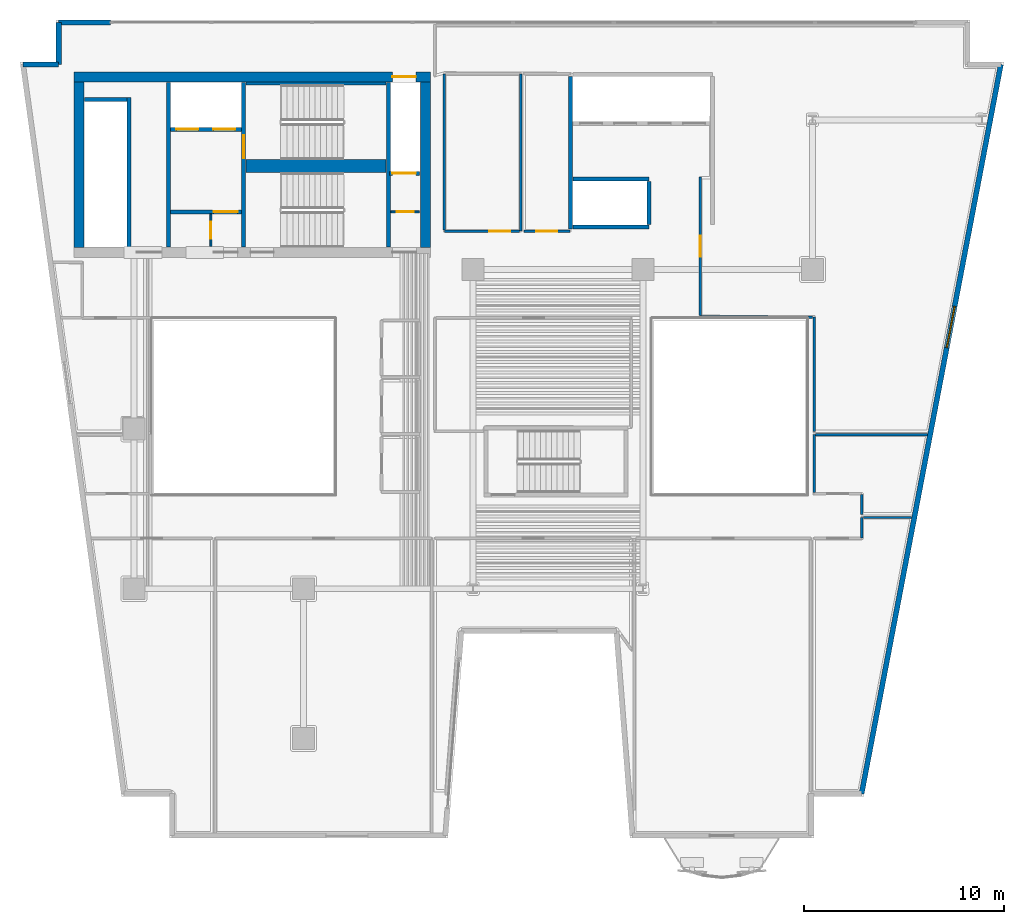
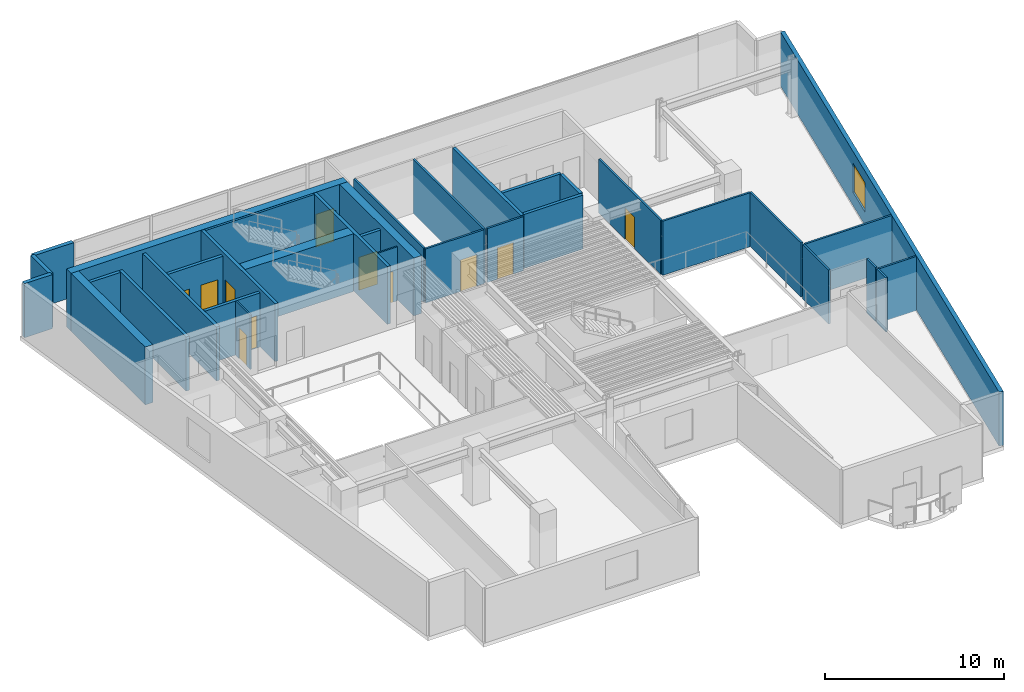
# One storey, part 7 of 13: 35 walls, 11 doors, 1 window, 12 openings.
"""IFC4 building model written with IfcOpenShell, lengths in metres."""

from ifc_helpers import new_model, si_unit, direction, frame, frame_2d, origin, place, context, subcontext, project, spatial, rectangle, extrude, material, layer, layer_set, type_object, element, fill, save


model = new_model("IFC4")

# Units and contexts
model_context = context("Model", 3, precision=1e-05, world=origin(), true_north=direction((0.0, 1.0)))
body_context = subcontext(model_context, "Body", "Model", "MODEL_VIEW")
ifc_project = project(units=[si_unit("LENGTHUNIT", "METRE"), si_unit("AREAUNIT", "SQUARE_METRE"), si_unit("VOLUMEUNIT", "CUBIC_METRE"), si_unit("PLANEANGLEUNIT", "RADIAN"), si_unit("MASSUNIT", "GRAM", prefix="KILO")], contexts=[model_context])

# Site, building, storey
site_placement = place(None, origin())
site = spatial("IfcSite", under=ifc_project, at=site_placement, CompositionType="ELEMENT")
building_placement = place(site_placement, origin())
building = spatial("IfcBuilding", under=site, at=building_placement, Name="Caeloran Harvest Quay", CompositionType="ELEMENT")
storey_placement = place(building_placement, frame((0.0, 0.0, 123.25)))
storey = spatial("IfcBuildingStorey", under=building, at=storey_placement, Name="L28", CompositionType="ELEMENT", Elevation=123.25)

# Walls
ifc_material_1 = material(Name="Precast concrete C50/60", Category="concrete")
ifc_layer_1 = layer(ifc_material_1, 0.260009765625, Name="Precast concrete C50/60")
ifc_layer_set_1 = layer_set([ifc_layer_1], Name="Precast concrete C50/60")
wall_type_1 = type_object("IfcWallType", Name="ENV-WALL-EW-260", PredefinedType="STANDARD", material=ifc_layer_set_1)
wall_1_placement = place(storey_placement, frame((2.939697265625, 41.27001953125, 0.0), z_axis=(0.0, 0.0, 1.0), x_axis=(1.0, 0.0, 0.0)))
element("IfcWall", 1, at=wall_1_placement, inside=storey, type_object=wall_type_1, Name="L28 Exterior Precast Concrete Facade Wall 4", PredefinedType="STANDARD", context=body_context, shape_type="SweptSolid", body=[
    extrude(rectangle(XDim=1.790283203125, YDim=0.260009765625, at=frame_2d((0.89501953125, 0.0))), origin(), (0.0, 0.0, 1.0), 3.68994140625),
])
wall_2_placement = place(storey_placement, frame((4.72998046875, 41.27001953125, 0.0), z_axis=(0.0, 0.0, 1.0), x_axis=(0.0, 1.0, 0.0)))
element("IfcWall", 2, at=wall_2_placement, inside=storey, type_object=wall_type_1, Name="L28 Exterior Precast Concrete Facade Wall 5", PredefinedType="STANDARD", context=body_context, shape_type="SweptSolid", body=[
    extrude(rectangle(XDim=2.10009765625, YDim=0.260009765625, at=frame_2d((1.050048828125, 0.0))), origin(), (0.0, 0.0, 1.0), 3.68994140625),
])
wall_3_placement = place(storey_placement, frame((4.72998046875, 43.3701171875, 0.0), z_axis=(0.0, 0.0, 1.0), x_axis=(1.0, 0.0, 0.0)))
element("IfcWall", 3, at=wall_3_placement, inside=storey, type_object=wall_type_1, Name="L28 Exterior Facade Corner Pier Wall 6A", PredefinedType="STANDARD", context=body_context, shape_type="SweptSolid", body=[
    extrude(rectangle(XDim=2.60009765625, YDim=0.260009765625, at=frame_2d((1.300048828125, 0.0))), origin(), (0.0, 0.0, 1.0), 3.68994140625),
])

# Wall, opening, window
wall_4_placement = place(storey_placement, frame((51.94189453125, 41.27001953125, 0.0), z_axis=(0.0, 0.0, 1.0), x_axis=(-0.187592192405, -0.982247000173, 0.0)))
wall_4 = element("IfcWall", 4, at=wall_4_placement, inside=storey, type_object=wall_type_1, Name="L28 Exterior Precast Concrete Facade Wall 9", PredefinedType="STANDARD", context=body_context, shape_type="SweptSolid", body=[
    extrude(rectangle(XDim=37.200439453125, YDim=0.260009765625, at=frame_2d((18.60009765625, 0.0))), origin(), (0.0, 0.0, 1.0), 3.68994140625),
])
opening_1_placement = place(wall_4_placement, frame((12.342041015625, 0.0, 0.89990234375)))
opening_1 = element("IfcOpeningElement", 5, at=opening_1_placement, cuts=wall_4, Name="Opening W-06", PredefinedType="OPENING", context=body_context, shape_type="SweptSolid", body=[
    extrude(rectangle(XDim=2.10009765625, YDim=2.0, at=frame_2d((1.050048828125, 1.0))), frame((0.0, 0.14013671875, 0.0), z_axis=(0.0, -1.0, 0.0), x_axis=(1.0, 0.0, 0.0)), (0.0, 0.0, 1.0), 0.280029296875),
])
ifc_material_2 = material(Name="Aluminium-Framed Low-E Laminated Glass", Category="aluminium")
window_type = type_object("IfcWindowType", Name="WIN-W-06", PartitioningType="DOUBLE_PANEL_VERTICAL", PredefinedType="WINDOW", material=ifc_material_2)
window_placement = place(opening_1_placement, origin())
window = element("IfcWindow", 6, at=window_placement, inside=storey, type_object=window_type, Name="L28 Facade Punched Window W-06", OverallHeight=2.0, OverallWidth=2.10009765625, PartitioningType="DOUBLE_PANEL_VERTICAL", PredefinedType="WINDOW", context=body_context, shape_type="SweptSolid", body=[
    extrude(rectangle(XDim=2.10009765625, YDim=2.0, at=frame_2d((1.050048828125, 1.0))), frame((0.0, 0.030029296875, 0.0), z_axis=(0.0, -1.0, 0.0), x_axis=(1.0, 0.0, 0.0)), (0.0, 0.0, 1.0), 0.06005859375),
])
fill(opening_1, window)

# Wall, opening, door
ifc_material_3 = material(Name="Fire-Resisting Gypsum Core Riser Partition", Category="gypsum")
ifc_layer_2 = layer(ifc_material_3, 0.10009765625, Name="Fire-Resisting Gypsum Core Riser Partition")
ifc_layer_set_2 = layer_set([ifc_layer_2], Name="Fire-Resisting Gypsum Core Riser Partition")
wall_type_2 = type_object("IfcWallType", Name="INT-WALL-PW-100", PredefinedType="PARTITIONING", material=ifc_layer_set_2)
wall_5_placement = place(storey_placement, frame((12.360107421875, 32.159912109375, 0.0), z_axis=(0.0, 0.0, 1.0), x_axis=(0.0, 1.0, 0.0)))
wall_5 = element("IfcWall", 7, at=wall_5_placement, inside=storey, type_object=wall_type_2, Name="L28 Core Store Partition Wall", PredefinedType="PARTITIONING", context=body_context, shape_type="SweptSolid", body=[
    extrude(rectangle(XDim=1.6201171875, YDim=0.10009765625, at=frame_2d((0.81005859375, 0.0))), origin(), (0.0, 0.0, 1.0), 3.68994140625),
])
opening_2_placement = place(wall_5_placement, frame((0.3798828125, 0.0, 0.0)))
opening_2 = element("IfcOpeningElement", 8, at=opening_2_placement, cuts=wall_5, Name="Opening SV-01", PredefinedType="OPENING", context=body_context, shape_type="SweptSolid", body=[
    extrude(rectangle(XDim=0.85009765625, YDim=2.10009765625, at=frame_2d((0.425048828125, 1.050048828125))), frame((0.0, 0.06005859375, 0.0), z_axis=(0.0, -1.0, 0.0), x_axis=(1.0, 0.0, 0.0)), (0.0, 0.0, 1.0), 0.1201171875),
])
ifc_material_4 = material(Name="Galvanized Painted Steel", Category="steel")
door_type_1 = type_object("IfcDoorType", Name="INTDOOR-SV-01", OperationType="NOTDEFINED", PredefinedType="DOOR", material=ifc_material_4)
door_1_placement = place(opening_2_placement, origin())
door_1 = element("IfcDoor", 9, at=door_1_placement, inside=storey, type_object=door_type_1, Name="L28 Core Service Room Access Door", OperationType="SINGLE_SWING_LEFT", OverallHeight=2.10009765625, OverallWidth=0.85009765625, PredefinedType="DOOR", context=body_context, shape_type="SweptSolid", body=[
    extrude(rectangle(XDim=0.85009765625, YDim=2.10009765625, at=frame_2d((0.425048828125, 1.050048828125))), frame((0.0, 0.02490234375, 0.0), z_axis=(0.0, -1.0, 0.0), x_axis=(1.0, 0.0, 0.0)), (0.0, 0.0, 1.0), 0.050048828125),
])
fill(opening_2, door_1)

wall_6_placement = place(storey_placement, frame((21.3798828125, 33.889892578125, 0.0), z_axis=(0.0, 0.0, 1.0), x_axis=(1.0, 0.0, 0.0)))
wall_6 = element("IfcWall", 10, at=wall_6_placement, inside=storey, type_object=wall_type_2, Name="L28 Cleaner Store Partition Wall", PredefinedType="PARTITIONING", context=body_context, shape_type="SweptSolid", body=[
    extrude(rectangle(XDim=1.420166015625, YDim=0.10009765625, at=frame_2d((0.7099609375, 0.0))), origin(), (0.0, 0.0, 1.0), 3.68994140625),
])
opening_3_placement = place(wall_6_placement, frame((0.280029296875, 0.0, 0.0)))
opening_3 = element("IfcOpeningElement", 11, at=opening_3_placement, cuts=wall_6, Name="Opening SV-01", PredefinedType="OPENING", context=body_context, shape_type="SweptSolid", body=[
    extrude(rectangle(XDim=0.85009765625, YDim=2.10009765625, at=frame_2d((0.425048828125, 1.050048828125))), frame((0.0, 0.06005859375, 0.0), z_axis=(0.0, -1.0, 0.0), x_axis=(1.0, 0.0, 0.0)), (0.0, 0.0, 1.0), 0.1201171875),
])
door_2_placement = place(opening_3_placement, origin())
door_2 = element("IfcDoor", 12, at=door_2_placement, inside=storey, type_object=door_type_1, Name="L28 Cleaner Supply Store Access Door", OperationType="SINGLE_SWING_RIGHT", OverallHeight=2.10009765625, OverallWidth=0.85009765625, PredefinedType="DOOR", context=body_context, shape_type="SweptSolid", body=[
    extrude(rectangle(XDim=0.85009765625, YDim=2.10009765625, at=frame_2d((0.425048828125, 1.050048828125))), frame((0.0, 0.02490234375, 0.0), z_axis=(0.0, -1.0, 0.0), x_axis=(1.0, 0.0, 0.0)), (0.0, 0.0, 1.0), 0.050048828125),
])
fill(opening_3, door_2)

# Wall
ifc_material_5 = material(Name="Twin-Stud Mineral-Wool Acoustic Gypsum Partition", Category="gypsum")
ifc_layer_3 = layer(ifc_material_5, 0.125, Name="Twin-Stud Mineral-Wool Acoustic Gypsum Partition")
ifc_layer_set_3 = layer_set([ifc_layer_3], Name="Twin-Stud Mineral-Wool Acoustic Gypsum Partition")
wall_type_3 = type_object("IfcWallType", Name="INT-WALL-PW-125", PredefinedType="PARTITIONING", material=ifc_layer_set_3)
wall_7_placement = place(storey_placement, frame((27.8798828125, 40.800048828125, 0.0), z_axis=(0.0, 0.0, 1.0), x_axis=(0.0, -1.0, 0.0)))
element("IfcWall", 13, at=wall_7_placement, inside=storey, type_object=wall_type_3, Name="L28 Crop Phenotyping West Laboratory Partition Wall", PredefinedType="PARTITIONING", context=body_context, shape_type="SweptSolid", body=[
    extrude(rectangle(XDim=7.880126953125, YDim=0.125, at=frame_2d((3.93994140625, 0.0))), origin(), (0.0, 0.0, 1.0), 3.68994140625),
])

# Wall, opening, door
wall_8_placement = place(storey_placement, frame((27.8125, 32.919921875, 0.0), z_axis=(0.0, 0.0, 1.0), x_axis=(-1.0, 0.0, 0.0)))
wall_8 = element("IfcWall", 14, at=wall_8_placement, inside=storey, type_object=wall_type_3, Name="L28 Crop Phenotyping West Laboratory Partition Wall", PredefinedType="PARTITIONING", context=body_context, shape_type="SweptSolid", body=[
    extrude(rectangle(XDim=3.762451171875, YDim=0.125, at=frame_2d((1.88134765625, 0.0))), origin(), (0.0, 0.0, 1.0), 3.68994140625),
])
opening_4_placement = place(wall_8_placement, frame((0.466064453125, 0.0, 0.0)))
opening_4 = element("IfcOpeningElement", 15, at=opening_4_placement, cuts=wall_8, Name="Opening ID-03", PredefinedType="OPENING", context=body_context, shape_type="SweptSolid", body=[
    extrude(rectangle(XDim=1.050048828125, YDim=2.14990234375, at=frame_2d((0.52490234375, 1.074951171875))), frame((0.0, 0.072509765625, 0.0), z_axis=(0.0, -1.0, 0.0), x_axis=(1.0, 0.0, 0.0)), (0.0, 0.0, 1.0), 0.14501953125),
])
ifc_material_6 = material(Name="FSC Solid-Core Oak Timber Leaf", Category="wood")
door_type_2 = type_object("IfcDoorType", Name="INTDOOR-ID-03", OperationType="NOTDEFINED", PredefinedType="DOOR", material=ifc_material_6)
door_3_placement = place(opening_4_placement, origin())
door_3 = element("IfcDoor", 16, at=door_3_placement, inside=storey, type_object=door_type_2, Name="L28 Crop Phenotyping West Laboratory Access Door", OperationType="SINGLE_SWING_RIGHT", OverallHeight=2.14990234375, OverallWidth=1.050048828125, PredefinedType="DOOR", context=body_context, shape_type="SweptSolid", body=[
    extrude(rectangle(XDim=1.050048828125, YDim=2.14990234375, at=frame_2d((0.52490234375, 1.074951171875))), frame((0.0, 0.02490234375, 0.0), z_axis=(0.0, -1.0, 0.0), x_axis=(1.0, 0.0, 0.0)), (0.0, 0.0, 1.0), 0.050048828125),
])
fill(opening_4, door_3)

# Wall
wall_9_placement = place(storey_placement, frame((24.050048828125, 32.987548828125, 0.0), z_axis=(0.0, 0.0, 1.0), x_axis=(0.0, 1.0, 0.0)))
element("IfcWall", 17, at=wall_9_placement, inside=storey, type_object=wall_type_3, Name="L28 Crop Phenotyping West Laboratory Partition Wall", PredefinedType="PARTITIONING", context=body_context, shape_type="SweptSolid", body=[
    extrude(rectangle(XDim=7.8125, YDim=0.125, at=frame_2d((3.90625, 0.0))), origin(), (0.0, 0.0, 1.0), 3.68994140625),
])

# Wall, opening, door
wall_10_placement = place(storey_placement, frame((30.35009765625, 32.919921875, 0.0), z_axis=(0.0, 0.0, 1.0), x_axis=(-1.0, 0.0, 0.0)))
wall_10 = element("IfcWall", 18, at=wall_10_placement, inside=storey, type_object=wall_type_3, Name="L28 Genomics Sequencing East Studio Partition Wall", PredefinedType="PARTITIONING", context=body_context, shape_type="SweptSolid", body=[
    extrude(rectangle(XDim=2.31005859375, YDim=0.125, at=frame_2d((1.155029296875, 0.0))), origin(), (0.0, 0.0, 1.0), 3.68994140625),
])
opening_5_placement = place(wall_10_placement, frame((0.6298828125, 0.0, 0.0)))
opening_5 = element("IfcOpeningElement", 19, at=opening_5_placement, cuts=wall_10, Name="Opening ID-03", PredefinedType="OPENING", context=body_context, shape_type="SweptSolid", body=[
    extrude(rectangle(XDim=1.050048828125, YDim=2.14990234375, at=frame_2d((0.52490234375, 1.074951171875))), frame((0.0, 0.072509765625, 0.0), z_axis=(0.0, -1.0, 0.0), x_axis=(1.0, 0.0, 0.0)), (0.0, 0.0, 1.0), 0.14501953125),
])
door_4_placement = place(opening_5_placement, origin())
door_4 = element("IfcDoor", 20, at=door_4_placement, inside=storey, type_object=door_type_2, Name="L28 Genomics Sequencing East Studio Access Door", OperationType="SINGLE_SWING_LEFT", OverallHeight=2.14990234375, OverallWidth=1.050048828125, PredefinedType="DOOR", context=body_context, shape_type="SweptSolid", body=[
    extrude(rectangle(XDim=1.050048828125, YDim=2.14990234375, at=frame_2d((0.52490234375, 1.074951171875))), frame((0.0, 0.02490234375, 0.0), z_axis=(0.0, -1.0, 0.0), x_axis=(1.0, 0.0, 0.0)), (0.0, 0.0, 1.0), 0.050048828125),
])
fill(opening_5, door_4)

# Walls
wall_11_placement = place(storey_placement, frame((44.97998046875, 17.550048828125, 0.0), z_axis=(0.0, 0.0, 1.0), x_axis=(0.0, 1.0, 0.0)))
element("IfcWall", 21, at=wall_11_placement, inside=storey, type_object=wall_type_3, Name="Bio-Security Compliance Office Partition Wall", PredefinedType="PARTITIONING", context=body_context, shape_type="SweptSolid", body=[
    extrude(rectangle(XDim=1.02001953125, YDim=0.125, at=frame_2d((0.510009765625, 0.0))), origin(), (0.0, 0.0, 1.0), 3.68994140625),
])
wall_12_placement = place(storey_placement, frame((45.047607421875, 18.570068359375, 0.0), z_axis=(0.0, 0.0, 1.0), x_axis=(1.0, 0.0, 0.0)))
element("IfcWall", 22, at=wall_12_placement, inside=storey, type_object=wall_type_3, Name="Bio-Security Compliance Office Partition Wall", PredefinedType="PARTITIONING", context=body_context, shape_type="SweptSolid", body=[
    extrude(rectangle(XDim=2.421630859375, YDim=0.125, at=frame_2d((1.2109375, 0.0))), origin(), (0.0, 0.0, 1.0), 3.68994140625),
])
wall_13_placement = place(storey_placement, frame((42.580078125, 19.8173828125, 0.0), z_axis=(0.0, 0.0, 1.0), x_axis=(0.0, 1.0, 0.0)))
element("IfcWall", 23, at=wall_13_placement, inside=storey, type_object=wall_type_3, Name="Research Library Study Room Partition Wall", PredefinedType="PARTITIONING", context=body_context, shape_type="SweptSolid", body=[
    extrude(rectangle(XDim=2.902587890625, YDim=0.125, at=frame_2d((1.451171875, 0.0))), origin(), (0.0, 0.0, 1.0), 3.68994140625),
])
wall_14_placement = place(storey_placement, frame((42.6474609375, 22.719970703125, 0.0), z_axis=(0.0, 0.0, 1.0), x_axis=(1.0, 0.0, 0.0)))
element("IfcWall", 24, at=wall_14_placement, inside=storey, type_object=wall_type_3, Name="Research Library Study Room Partition Wall", PredefinedType="PARTITIONING", context=body_context, shape_type="SweptSolid", body=[
    extrude(rectangle(XDim=5.6142578125, YDim=0.125, at=frame_2d((2.80712890625, 0.0))), origin(), (0.0, 0.0, 1.0), 3.68994140625),
])
wall_15_placement = place(storey_placement, frame((44.97998046875, 18.72998046875, 0.0), z_axis=(0.0, 0.0, 1.0), x_axis=(0.0, 1.0, 0.0)))
element("IfcWall", 25, at=wall_15_placement, inside=storey, type_object=wall_type_3, Name="Research Library Study Room Partition Wall", PredefinedType="PARTITIONING", context=body_context, shape_type="SweptSolid", body=[
    extrude(rectangle(XDim=0.989990234375, YDim=0.125, at=frame_2d((0.4951171875, 0.0))), origin(), (0.0, 0.0, 1.0), 3.68994140625),
])
wall_16_placement = place(storey_placement, frame((42.580078125, 22.8798828125, 0.0), z_axis=(0.0, 0.0, 1.0), x_axis=(0.0, 1.0, 0.0)))
element("IfcWall", 26, at=wall_16_placement, inside=storey, type_object=wall_type_3, Name="Controlled-Climate Simulation Lab 10 Partition Wall", PredefinedType="PARTITIONING", context=body_context, shape_type="SweptSolid", body=[
    extrude(rectangle(XDim=5.72900390625, YDim=0.125, at=frame_2d((2.864501953125, 0.0))), origin(), (0.0, 0.0, 1.0), 3.68994140625),
])
wall_17_placement = place(storey_placement, frame((42.512451171875, 28.609130859375, 0.0), z_axis=(0.0, 0.0, 1.0), x_axis=(-0.999993213113, 0.00368425396, 0.0)))
element("IfcWall", 27, at=wall_17_placement, inside=storey, type_object=wall_type_3, Name="Controlled-Climate Simulation Lab 10 Partition Wall", PredefinedType="PARTITIONING", context=body_context, shape_type="SweptSolid", body=[
    extrude(rectangle(XDim=5.632568359375, YDim=0.125, at=frame_2d((2.81640625, 0.0))), origin(), (0.0, 0.0, 1.0), 3.68994140625),
])

# Wall, opening, door
wall_18_placement = place(storey_placement, frame((36.8798828125, 28.697509765625, 0.0), z_axis=(0.0, 0.0, 1.0), x_axis=(0.0, 1.0, 0.0)))
wall_18 = element("IfcWall", 28, at=wall_18_placement, inside=storey, type_object=wall_type_3, Name="Controlled-Climate Simulation Lab 10 Partition Wall", PredefinedType="PARTITIONING", context=body_context, shape_type="SweptSolid", body=[
    extrude(rectangle(XDim=6.922607421875, YDim=0.125, at=frame_2d((3.46142578125, 0.0))), origin(), (0.0, 0.0, 1.0), 3.68994140625),
])
opening_6_placement = place(wall_18_placement, frame((2.936279296875, 0.0, 0.0)))
opening_6 = element("IfcOpeningElement", 29, at=opening_6_placement, cuts=wall_18, Name="Opening ID-03", PredefinedType="OPENING", context=body_context, shape_type="SweptSolid", body=[
    extrude(rectangle(XDim=1.050048828125, YDim=2.14990234375, at=frame_2d((0.52490234375, 1.074951171875))), frame((0.0, 0.072509765625, 0.0), z_axis=(0.0, -1.0, 0.0), x_axis=(1.0, 0.0, 0.0)), (0.0, 0.0, 1.0), 0.14501953125),
])
door_5_placement = place(opening_6_placement, origin())
door_5 = element("IfcDoor", 30, at=door_5_placement, inside=storey, type_object=door_type_2, Name="Controlled-Climate Simulation Lab 10 Access Door", OperationType="SINGLE_SWING_RIGHT", OverallHeight=2.14990234375, OverallWidth=1.050048828125, PredefinedType="DOOR", context=body_context, shape_type="SweptSolid", body=[
    extrude(rectangle(XDim=1.050048828125, YDim=2.14990234375, at=frame_2d((0.52490234375, 1.074951171875))), frame((0.0, 0.02490234375, 0.0), z_axis=(0.0, -1.0, 0.0), x_axis=(1.0, 0.0, 0.0)), (0.0, 0.0, 1.0), 0.050048828125),
])
fill(opening_6, door_5)

# Walls
ifc_material_7 = material(Name="Concrete C50/60", Category="concrete")
ifc_layer_4 = layer(ifc_material_7, 0.199951171875, Name="Concrete C50/60")
ifc_layer_set_4 = layer_set([ifc_layer_4], Name="Concrete C50/60")
wall_type_4 = type_object("IfcWallType", Name="INT-WALL-SW-200", PredefinedType="PARTITIONING", material=ifc_layer_set_4)
wall_19_placement = place(storey_placement, frame((8.260009765625, 32.1201171875, 0.0), z_axis=(0.0, 0.0, 1.0), x_axis=(0.0, 1.0, 0.0)))
element("IfcWall", 31, at=wall_19_placement, inside=storey, type_object=wall_type_4, Name="L28 Bank 3 Lift Shaft Wall", PredefinedType="PARTITIONING", context=body_context, shape_type="SweptSolid", body=[
    extrude(rectangle(XDim=7.5, YDim=0.199951171875, at=frame_2d((3.75, 0.0))), origin(), (0.0, 0.0, 1.0), 3.68994140625),
])
wall_20_placement = place(storey_placement, frame((6.02001953125, 39.52001953125, 0.0), z_axis=(0.0, 0.0, 1.0), x_axis=(1.0, 0.0, 0.0)))
element("IfcWall", 32, at=wall_20_placement, inside=storey, type_object=wall_type_4, Name="L28 Bank 3 Lift Shaft North End Wall", PredefinedType="PARTITIONING", context=body_context, shape_type="SweptSolid", body=[
    extrude(rectangle(XDim=2.119873046875, YDim=0.199951171875, at=frame_2d((1.06005859375, 0.0))), origin(), (0.0, 0.0, 1.0), 3.68994140625),
])
wall_21_placement = place(storey_placement, frame((10.219970703125, 32.1201171875, 0.0), z_axis=(0.0, 0.0, 1.0), x_axis=(0.0, 1.0, 0.0)))
element("IfcWall", 33, at=wall_21_placement, inside=storey, type_object=wall_type_4, Name="L28 Core Lobby Compartment Wall", PredefinedType="PARTITIONING", context=body_context, shape_type="SweptSolid", body=[
    extrude(rectangle(XDim=8.259765625, YDim=0.199951171875, at=frame_2d((4.1298828125, 0.0))), origin(), (0.0, 0.0, 1.0), 3.68994140625),
])

# Wall, openings, doors
wall_22_placement = place(storey_placement, frame((10.340087890625, 38.02001953125, 0.0), z_axis=(0.0, 0.0, 1.0), x_axis=(1.0, 0.0, 0.0)))
wall_22 = element("IfcWall", 34, at=wall_22_placement, inside=storey, type_object=wall_type_4, Name="L28 Firefighting Lift Shaft Wall", PredefinedType="PARTITIONING", context=body_context, shape_type="SweptSolid", body=[
    extrude(rectangle(XDim=3.539794921875, YDim=0.199951171875, at=frame_2d((1.77001953125, 0.0))), origin(), (0.0, 0.0, 1.0), 3.68994140625),
])
opening_7_placement = place(wall_22_placement, frame((0.284912109375, 0.0, 0.0)))
opening_7 = element("IfcOpeningElement", 35, at=opening_7_placement, cuts=wall_22, Name="Opening LD-01", PredefinedType="OPENING", context=body_context, shape_type="SweptSolid", body=[
    extrude(rectangle(XDim=1.10009765625, YDim=2.199951171875, at=frame_2d((0.550048828125, 1.10009765625))), frame((0.0, 0.10986328125, 0.0), z_axis=(0.0, -1.0, 0.0), x_axis=(1.0, 0.0, 0.0)), (0.0, 0.0, 1.0), 0.219970703125),
])
opening_8_placement = place(wall_22_placement, frame((2.135009765625, 0.0, 0.0)))
opening_8 = element("IfcOpeningElement", 36, at=opening_8_placement, cuts=wall_22, Name="Opening LD-01", PredefinedType="OPENING", context=body_context, shape_type="SweptSolid", body=[
    extrude(rectangle(XDim=1.10009765625, YDim=2.199951171875, at=frame_2d((0.550048828125, 1.10009765625))), frame((0.0, 0.10986328125, 0.0), z_axis=(0.0, -1.0, 0.0), x_axis=(1.0, 0.0, 0.0)), (0.0, 0.0, 1.0), 0.219970703125),
])
ifc_material_8 = material(Name="Stainless Steel Grade 316", Category="steel")
door_type_3 = type_object("IfcDoorType", Name="INTDOOR-LD-01", OperationType="NOTDEFINED", PredefinedType="DOOR", material=ifc_material_8)
door_6_placement = place(opening_7_placement, origin())
door_6 = element("IfcDoor", 37, at=door_6_placement, inside=storey, type_object=door_type_3, Name="Lift FF-1 Sliding Landing Door (L28)", OperationType="DOUBLE_DOOR_SLIDING", OverallHeight=2.199951171875, OverallWidth=1.10009765625, PredefinedType="DOOR", context=body_context, shape_type="SweptSolid", body=[
    extrude(rectangle(XDim=1.10009765625, YDim=2.199951171875, at=frame_2d((0.550048828125, 1.10009765625))), frame((0.0, 0.02490234375, 0.0), z_axis=(0.0, -1.0, 0.0), x_axis=(1.0, 0.0, 0.0)), (0.0, 0.0, 1.0), 0.050048828125),
])
fill(opening_7, door_6)
door_7_placement = place(opening_8_placement, origin())
door_7 = element("IfcDoor", 38, at=door_7_placement, inside=storey, type_object=door_type_3, Name="Lift FF-2 Sliding Landing Door (L28)", OperationType="DOUBLE_DOOR_SLIDING", OverallHeight=2.199951171875, OverallWidth=1.10009765625, PredefinedType="DOOR", context=body_context, shape_type="SweptSolid", body=[
    extrude(rectangle(XDim=1.10009765625, YDim=2.199951171875, at=frame_2d((0.550048828125, 1.10009765625))), frame((0.0, 0.02490234375, 0.0), z_axis=(0.0, -1.0, 0.0), x_axis=(1.0, 0.0, 0.0)), (0.0, 0.0, 1.0), 0.050048828125),
])
fill(opening_8, door_7)

# Wall, opening, door
wall_23_placement = place(storey_placement, frame((10.340087890625, 33.8798828125, 0.0), z_axis=(0.0, 0.0, 1.0), x_axis=(1.0, 0.0, 0.0)))
wall_23 = element("IfcWall", 39, at=wall_23_placement, inside=storey, type_object=wall_type_4, Name="L28 Firefighting Lift Lobby Enclosure Wall", PredefinedType="PARTITIONING", context=body_context, shape_type="SweptSolid", body=[
    extrude(rectangle(XDim=3.559814453125, YDim=0.199951171875, at=frame_2d((1.77978515625, 0.0))), origin(), (0.0, 0.0, 1.0), 3.68994140625),
])
opening_9_placement = place(wall_23_placement, frame((2.14990234375, 0.0, 0.0)))
opening_9 = element("IfcOpeningElement", 40, at=opening_9_placement, cuts=wall_23, Name="Opening FD-01", PredefinedType="OPENING", context=body_context, shape_type="SweptSolid", body=[
    extrude(rectangle(XDim=1.199951171875, YDim=2.199951171875, at=frame_2d((0.60009765625, 1.10009765625))), frame((0.0, 0.10986328125, 0.0), z_axis=(0.0, -1.0, 0.0), x_axis=(1.0, 0.0, 0.0)), (0.0, 0.0, 1.0), 0.219970703125),
])
ifc_material_9 = material(Name="Steel", Category="steel")
door_type_4 = type_object("IfcDoorType", Name="INTDOOR-FD-01", OperationType="NOTDEFINED", PredefinedType="DOOR", material=ifc_material_9)
door_8_placement = place(opening_9_placement, origin())
door_8 = element("IfcDoor", 41, at=door_8_placement, inside=storey, type_object=door_type_4, Name="L28 Firefighting Lift Lobby Smoke-Seal Fire Door", OperationType="SINGLE_SWING_LEFT", OverallHeight=2.199951171875, OverallWidth=1.199951171875, PredefinedType="DOOR", context=body_context, shape_type="SweptSolid", body=[
    extrude(rectangle(XDim=1.199951171875, YDim=2.199951171875, at=frame_2d((0.60009765625, 1.10009765625))), frame((0.0, 0.02490234375, 0.0), z_axis=(0.0, -1.0, 0.0), x_axis=(1.0, 0.0, 0.0)), (0.0, 0.0, 1.0), 0.050048828125),
])
fill(opening_9, door_8)

wall_24_placement = place(storey_placement, frame((21.300048828125, 35.820068359375, 0.0), z_axis=(0.0, 0.0, 1.0), x_axis=(1.0, 0.0, 0.0)))
wall_24 = element("IfcWall", 42, at=wall_24_placement, inside=storey, type_object=wall_type_4, Name="L28 Service Lift SV-2 Shaft Wall", PredefinedType="PARTITIONING", context=body_context, shape_type="SweptSolid", body=[
    extrude(rectangle(XDim=1.5, YDim=0.199951171875, at=frame_2d((0.75, 0.0))), origin(), (0.0, 0.0, 1.0), 3.68994140625),
])
opening_10_placement = place(wall_24_placement, frame((0.14501953125, 0.0, 0.0)))
opening_10 = element("IfcOpeningElement", 43, at=opening_10_placement, cuts=wall_24, Name="Opening LD-02", PredefinedType="OPENING", context=body_context, shape_type="SweptSolid", body=[
    extrude(rectangle(XDim=1.179931640625, YDim=2.25, at=frame_2d((0.58984375, 1.125))), frame((0.0, 0.10986328125, 0.0), z_axis=(0.0, -1.0, 0.0), x_axis=(1.0, 0.0, 0.0)), (0.0, 0.0, 1.0), 0.219970703125),
])
door_type_5 = type_object("IfcDoorType", Name="INTDOOR-LD-02", OperationType="NOTDEFINED", PredefinedType="DOOR", material=ifc_material_8)
door_9_placement = place(opening_10_placement, origin())
door_9 = element("IfcDoor", 44, at=door_9_placement, inside=storey, type_object=door_type_5, Name="Lift SV-2 Sliding Landing Door (L28)", OperationType="DOUBLE_DOOR_SLIDING", OverallHeight=2.25, OverallWidth=1.179931640625, PredefinedType="DOOR", context=body_context, shape_type="SweptSolid", body=[
    extrude(rectangle(XDim=1.179931640625, YDim=2.25, at=frame_2d((0.58984375, 1.125))), frame((0.0, 0.02490234375, 0.0), z_axis=(0.0, -1.0, 0.0), x_axis=(1.0, 0.0, 0.0)), (0.0, 0.0, 1.0), 0.050048828125),
])
fill(opening_10, door_9)

# Walls
wall_25_placement = place(storey_placement, frame((30.3798828125, 33.02001953125, 0.0), z_axis=(0.0, 0.0, 1.0), x_axis=(0.0, 1.0, 0.0)))
element("IfcWall", 45, at=wall_25_placement, inside=storey, type_object=wall_type_4, Name="L28 Bank 2 and Shuttle Lift Shaft West Wall", PredefinedType="PARTITIONING", context=body_context, shape_type="SweptSolid", body=[
    extrude(rectangle(XDim=7.639892578125, YDim=0.199951171875, at=frame_2d((3.81982421875, 0.0))), origin(), (0.0, 0.0, 1.0), 3.68994140625),
])
for number, where, z_axis, x_axis, name in (
    (46, (30.5, 35.530029296875, 0.0), (0.0, 0.0, 1.0), (1.0, 0.0, 0.0), "L28 Shuttle Lift Landing Front Wall"),
    (47, (30.5, 33.1201171875, 0.0), (0.0, 0.0, 1.0), (1.0, 0.0, 0.0), "L28 Shuttle Lift Shaft South Wall"),
):
    element("IfcWall", number, at=place(storey_placement, frame(where, z_axis=z_axis, x_axis=x_axis)), inside=storey, type_object=wall_type_4, Name=name, PredefinedType="PARTITIONING", context=body_context, shape_type="SweptSolid", body=[
        extrude(rectangle(XDim=3.800048828125, YDim=0.199951171875, at=frame_2d((1.89990234375, 0.0))), origin(), (0.0, 0.0, 1.0), 3.68994140625),
    ])
wall_26_placement = place(storey_placement, frame((34.300048828125, 33.239990234375, 0.0), z_axis=(0.0, 0.0, 1.0), x_axis=(0.0, 1.0, 0.0)))
element("IfcWall", 48, at=wall_26_placement, inside=storey, type_object=wall_type_4, Name="L28 Shuttle Lift Shaft East Wall", PredefinedType="PARTITIONING", context=body_context, shape_type="SweptSolid", body=[
    extrude(rectangle(XDim=2.169921875, YDim=0.199951171875, at=frame_2d((1.0849609375, 0.0))), origin(), (0.0, 0.0, 1.0), 3.68994140625),
])

# Wall, opening, door
ifc_material_10 = material(Name="Concrete C70/85", Category="concrete")
ifc_layer_5 = layer(ifc_material_10, 0.5, Name="Concrete C70/85")
ifc_layer_set_5 = layer_set([ifc_layer_5], Name="Concrete C70/85")
wall_type_5 = type_object("IfcWallType", Name="STR-WALL-CW-500", PredefinedType="SHEAR", material=ifc_layer_set_5)
wall_27_placement = place(storey_placement, frame((5.5, 40.64990234375, 0.0), z_axis=(0.0, 0.0, 1.0), x_axis=(1.0, 0.0, 0.0)))
wall_27 = element("IfcWall", 49, at=wall_27_placement, inside=storey, type_object=wall_type_5, Name="L28 Rear Core Shear Wall N", PredefinedType="SHEAR", context=body_context, shape_type="SweptSolid", body=[
    extrude(rectangle(XDim=17.85009765625, YDim=0.5, at=frame_2d((8.925048828125, 0.0))), origin(), (0.0, 0.0, 1.0), 3.949951171875),
])
opening_11_placement = place(wall_27_placement, frame((15.945068359375, 0.0, 0.0)))
opening_11 = element("IfcOpeningElement", 50, at=opening_11_placement, cuts=wall_27, Name="Opening LD-02", PredefinedType="OPENING", context=body_context, shape_type="SweptSolid", body=[
    extrude(rectangle(XDim=1.179931640625, YDim=2.25, at=frame_2d((0.58984375, 1.125))), frame((0.0, 0.260009765625, 0.0), z_axis=(0.0, -1.0, 0.0), x_axis=(1.0, 0.0, 0.0)), (0.0, 0.0, 1.0), 0.52001953125),
])
door_10_placement = place(opening_11_placement, origin())
door_10 = element("IfcDoor", 51, at=door_10_placement, inside=storey, type_object=door_type_5, Name="Lift SV-1 Sliding Landing Door (L28)", OperationType="DOUBLE_DOOR_SLIDING", OverallHeight=2.25, OverallWidth=1.179931640625, PredefinedType="DOOR", context=body_context, shape_type="SweptSolid", body=[
    extrude(rectangle(XDim=1.179931640625, YDim=2.25, at=frame_2d((0.58984375, 1.125))), frame((0.0, 0.02490234375, 0.0), z_axis=(0.0, -1.0, 0.0), x_axis=(1.0, 0.0, 0.0)), (0.0, 0.0, 1.0), 0.050048828125),
])
fill(opening_11, door_10)

# Walls
for number, where, z_axis, x_axis, name in (
    (52, (5.75, 32.10009765625, 0.0), (0.0, 0.0, 1.0), (0.0, 1.0, 0.0), "L28 Rear Core Shear Wall W"),
    (53, (23.10009765625, 32.10009765625, 0.0), (0.0, 0.0, 1.0), (0.0, 1.0, 0.0), "L28 Rear Core Shear Wall E"),
):
    element("IfcWall", number, at=place(storey_placement, frame(where, z_axis=z_axis, x_axis=x_axis)), inside=storey, type_object=wall_type_5, Name=name, PredefinedType="SHEAR", context=body_context, shape_type="SweptSolid", body=[
        extrude(rectangle(XDim=8.2998046875, YDim=0.5, at=frame_2d((4.14990234375, 0.0))), origin(), (0.0, 0.0, 1.0), 3.949951171875),
    ])
ifc_material_11 = material(Name="Concrete C60/75", Category="concrete")
ifc_layer_6 = layer(ifc_material_11, 0.64990234375, Name="Concrete C60/75")
ifc_layer_set_6 = layer_set([ifc_layer_6], Name="Concrete C60/75")
wall_type_6 = type_object("IfcWallType", Name="STR-WALL-CW-650", PredefinedType="SHEAR", material=ifc_layer_set_6)
wall_28_placement = place(storey_placement, frame((14.1201171875, 36.175048828125, 0.0), z_axis=(0.0, 0.0, 1.0), x_axis=(1.0, 0.0, 0.0)))
element("IfcWall", 54, at=wall_28_placement, inside=storey, type_object=wall_type_6, Name="L28 Core Stairs Dividing Shear Wall", PredefinedType="SHEAR", context=body_context, shape_type="SweptSolid", body=[
    extrude(rectangle(XDim=7.009765625, YDim=0.64990234375, at=frame_2d((3.5048828125, 0.0))), origin(), (0.0, 0.0, 1.0), 3.949951171875),
])
ifc_layer_7 = layer(ifc_material_11, 0.139892578125, Name="Concrete C60/75")
ifc_layer_set_7 = layer_set([ifc_layer_7], Name="Concrete C60/75")
wall_type_7 = type_object("IfcWallType", Name="STR-WALL-SW-140", PredefinedType="SHEAR", material=ifc_layer_set_7)
wall_29_placement = place(storey_placement, frame((14.1201171875, 40.320068359375, 0.0), z_axis=(0.0, 0.0, 1.0), x_axis=(1.0, 0.0, 0.0)))
element("IfcWall", 55, at=wall_29_placement, inside=storey, type_object=wall_type_7, Name="L28 Core Stair ST-C1 North Bearing Shear Wall", PredefinedType="SHEAR", context=body_context, shape_type="SweptSolid", body=[
    extrude(rectangle(XDim=7.009765625, YDim=0.139892578125, at=frame_2d((3.5048828125, 0.0))), origin(), (0.0, 0.0, 1.0), 3.949951171875),
])

# Wall, opening, door
ifc_layer_8 = layer(ifc_material_11, 0.199951171875, Name="Concrete C60/75")
ifc_layer_set_8 = layer_set([ifc_layer_8], Name="Concrete C60/75")
wall_type_8 = type_object("IfcWallType", Name="STR-WALL-SW-200", PredefinedType="SHEAR", material=ifc_layer_set_8)
wall_30_placement = place(storey_placement, frame((14.0, 32.1201171875, 0.0), z_axis=(0.0, 0.0, 1.0), x_axis=(0.0, 1.0, 0.0)))
wall_30 = element("IfcWall", 56, at=wall_30_placement, inside=storey, type_object=wall_type_8, Name="L28 Core Stair Shaft West Shear Wall", PredefinedType="SHEAR", context=body_context, shape_type="SweptSolid", body=[
    extrude(rectangle(XDim=8.259765625, YDim=0.199951171875, at=frame_2d((4.1298828125, 0.0))), origin(), (0.0, 0.0, 1.0), 3.949951171875),
])
opening_12_placement = place(wall_30_placement, frame((4.4599609375, 0.0, 0.0)))
opening_12 = element("IfcOpeningElement", 57, at=opening_12_placement, cuts=wall_30, Name="Opening SD-01", PredefinedType="OPENING", context=body_context, shape_type="SweptSolid", body=[
    extrude(rectangle(XDim=1.14990234375, YDim=2.199951171875, at=frame_2d((0.574951171875, 1.10009765625))), frame((0.0, 0.10986328125, 0.0), z_axis=(0.0, -1.0, 0.0), x_axis=(1.0, 0.0, 0.0)), (0.0, 0.0, 1.0), 0.219970703125),
])
door_type_6 = type_object("IfcDoorType", Name="INTDOOR-SD-01", OperationType="NOTDEFINED", PredefinedType="DOOR", material=ifc_material_9)
door_11_placement = place(opening_12_placement, origin())
door_11 = element("IfcDoor", 58, at=door_11_placement, inside=storey, type_object=door_type_6, Name="L28 Protected Stair ST-C1 Exit Door", OperationType="SINGLE_SWING_LEFT", OverallHeight=2.199951171875, OverallWidth=1.14990234375, PredefinedType="DOOR", context=body_context, shape_type="SweptSolid", body=[
    extrude(rectangle(XDim=1.14990234375, YDim=2.199951171875, at=frame_2d((0.574951171875, 1.10009765625))), frame((0.0, 0.02490234375, 0.0), z_axis=(0.0, -1.0, 0.0), x_axis=(1.0, 0.0, 0.0)), (0.0, 0.0, 1.0), 0.050048828125),
])
fill(opening_12, door_11)

# Wall
wall_31_placement = place(storey_placement, frame((21.25, 32.1201171875, 0.0), z_axis=(0.0, 0.0, 1.0), x_axis=(0.0, 1.0, 0.0)))
element("IfcWall", 59, at=wall_31_placement, inside=storey, type_object=wall_type_8, Name="L28 Core Stair Shaft East Shear Wall", PredefinedType="SHEAR", context=body_context, shape_type="SweptSolid", body=[
    extrude(rectangle(XDim=8.259765625, YDim=0.199951171875, at=frame_2d((4.1298828125, 0.0))), origin(), (0.0, 0.0, 1.0), 3.949951171875),
])

save(model, "model.ifc")
